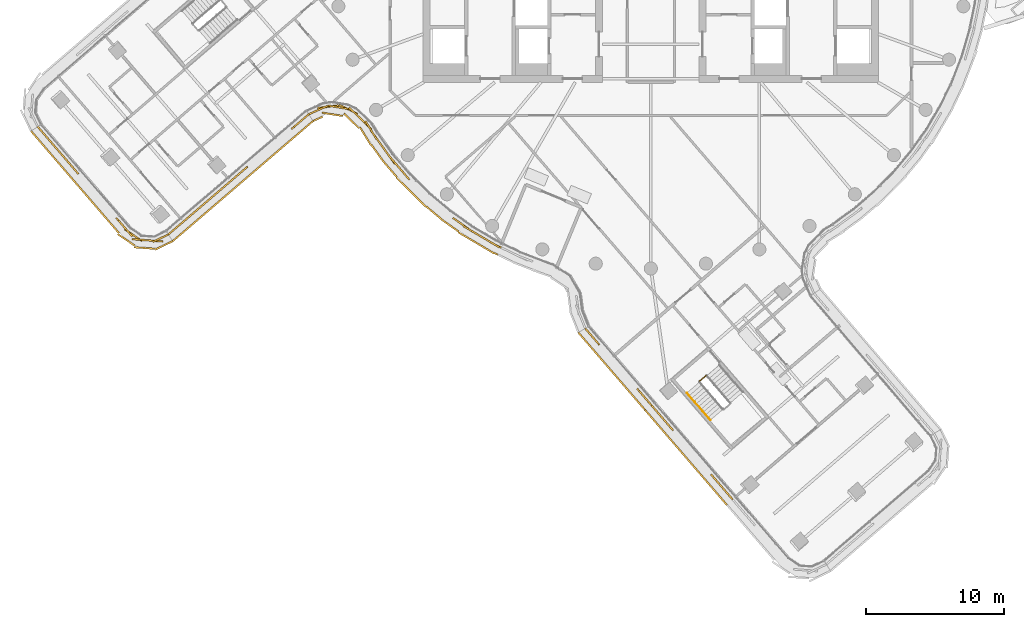
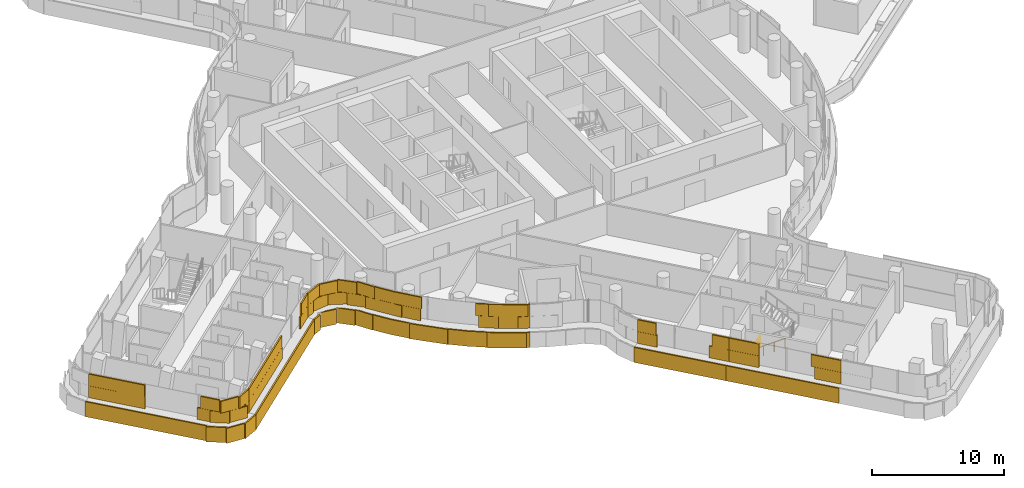
# One storey, part 28 of 34: 5 coverings, 2 railings.
"""IFC4 building model written with IfcOpenShell, lengths in metres."""

from ifc_helpers import new_model, si_unit, direction, frame, origin, origin_2d, place, context, subcontext, project, spatial, rectangle, circle, extrude, material, layer, layer_set, type_object, element, save


model = new_model("IFC4")

# Units and contexts
model_context = context("Model", 3, precision=1e-05, world=origin(), true_north=direction((0.0, 1.0)))
body_context = subcontext(model_context, "Body", "Model", "MODEL_VIEW")
ifc_project = project(units=[si_unit("LENGTHUNIT", "METRE"), si_unit("AREAUNIT", "SQUARE_METRE"), si_unit("VOLUMEUNIT", "CUBIC_METRE"), si_unit("PLANEANGLEUNIT", "RADIAN"), si_unit("MASSUNIT", "GRAM", prefix="KILO")], contexts=[model_context])

# Site, building, storey
site_placement = place(None, origin())
site = spatial("IfcSite", under=ifc_project, at=site_placement, CompositionType="ELEMENT")
building_placement = place(site_placement, origin())
building = spatial("IfcBuilding", under=site, at=building_placement, Name="Tamarind Cross Interchange Tower", CompositionType="ELEMENT")
storey_placement = place(building_placement, frame((0.0, 0.0, 182.5)))
storey = spatial("IfcBuildingStorey", under=building, at=storey_placement, Name="L45", CompositionType="ELEMENT", Elevation=182.5)

# Railings
ifc_material_1 = material(Name="Stair guard")
railing_type_1 = type_object("IfcRailingType", Name="Stair guard", PredefinedType="GUARDRAIL", material=ifc_material_1)
railing_1_placement = place(storey_placement, frame((3.53759765625, -31.161865234375, 0.0)))
element("IfcRailing", 1, at=railing_1_placement, inside=storey, type_object=railing_type_1, Name="L45 ST6 stair guard 4", PredefinedType="GUARDRAIL", context=body_context, shape_type="SweptSolid", body=[
    extrude(circle(Radius=0.02392578125, at=origin_2d()), frame((0.0, 0.0, 1.076171875), z_axis=(0.757444645977, 0.652899386032, 0.0), x_axis=(-0.652899386032, 0.757444645977, 0.0)), (0.0, 0.0, 1.0), 0.60009765625),
    extrude(circle(Radius=0.02099609375, at=origin_2d()), origin(), (0.0, 0.0, 1.0), 1.052001953125),
    extrude(circle(Radius=0.02099609375, at=origin_2d()), frame((0.45458984375, 0.391845703125, 0.0)), (0.0, 0.0, 1.0), 1.052001953125),
])
ifc_material_2 = material(Name="Stair handrail")
railing_type_2 = type_object("IfcRailingType", Name="Stair handrail", PredefinedType="HANDRAIL", material=ifc_material_2)
railing_2_placement = place(storey_placement, frame((2.623291015625, -32.015625, 0.16357421875)))
element("IfcRailing", 2, at=railing_2_placement, inside=storey, type_object=railing_type_2, Name="L45 ST6 stair handrail 1", PredefinedType="HANDRAIL", context=body_context, shape_type="SweptSolid", body=[
    extrude(circle(Radius=0.02392578125, at=origin_2d()), frame((0.0, 0.0, 0.8759765625), z_axis=(0.552399171702, -0.641167676203, 0.53269049747), x_axis=(0.757603689801, 0.652714829922, 0.0)), (0.0, 0.0, 1.0), 3.072021484375),
    extrude(circle(Radius=0.02099609375, at=origin_2d()), origin(), (0.0, 0.0, 1.0), 0.851806640625),
    extrude(circle(Radius=0.02099609375, at=origin_2d()), frame((0.565673828125, -0.656494140625, 0.54541015625)), (0.0, 0.0, 1.0), 0.851806640625),
    extrude(circle(Radius=0.02099609375, at=origin_2d()), frame((1.13134765625, -1.313232421875, 1.091064453125)), (0.0, 0.0, 1.0), 0.851806640625),
    extrude(circle(Radius=0.02099609375, at=origin_2d()), frame((1.697021484375, -1.9697265625, 1.636474609375)), (0.0, 0.0, 1.0), 0.851806640625),
])

# Coverings
ifc_material_3 = material(Name="Terracotta", Category="masonry")
ifc_layer = layer(ifc_material_3, 0.1201171875)
ifc_layer_set = layer_set([ifc_layer], Name="Terracotta")
covering_type = type_object("IfcCoveringType", Name="Terracotta baguette screen unit", PredefinedType="MOLDING", material=ifc_layer_set)
covering_1_placement = place(storey_placement, origin())
element("IfcCovering", 3, at=covering_1_placement, inside=storey, type_object=covering_type, Name="SCR-L45-04-00", PredefinedType="MOLDING", context=body_context, shape_type="SweptSolid", body=[
    extrude(rectangle(XDim=0.760009765625, YDim=0.1201171875, at=origin_2d()), frame((-44.197998046875, -13.004638671875, 1.40380859375), z_axis=(0.0, 0.0, 1.0), x_axis=(0.652722730074, -0.757596883339, 0.0)), (0.0, 0.0, 1.0), 1.092041015625),
    extrude(rectangle(XDim=1.52001953125, YDim=0.1201171875, at=origin_2d()), frame((-43.463623046875, -13.85693359375, 1.40380859375), z_axis=(0.0, 0.0, 1.0), x_axis=(0.652722730074, -0.757596883339, 0.0)), (0.0, 0.0, 1.0), 1.092041015625),
    extrude(rectangle(XDim=1.52001953125, YDim=0.1201171875, at=origin_2d()), frame((-42.484619140625, -14.993408203125, 1.40380859375), z_axis=(0.0, 0.0, 1.0), x_axis=(0.652722730074, -0.757596883339, 0.0)), (0.0, 0.0, 1.0), 1.092041015625),
    extrude(rectangle(XDim=0.78466796875, YDim=0.1201171875, at=origin_2d()), frame((-41.7421875, -15.85498046875, 1.40380859375), z_axis=(0.0, 0.0, 1.0), x_axis=(0.652722730074, -0.757596883339, 0.0)), (0.0, 0.0, 1.0), 1.092041015625),
    extrude(rectangle(XDim=1.03515625, YDim=0.1201171875, at=origin_2d()), frame((-38.413330078125, -19.71875, 1.40380859375), z_axis=(0.0, 0.0, 1.0), x_axis=(0.652722730074, -0.757596883339, 0.0)), (0.0, 0.0, 1.0), 1.092041015625),
    extrude(rectangle(XDim=1.52001953125, YDim=0.1201171875, at=origin_2d()), frame((-37.50634765625, -20.58251953125, 1.40380859375), z_axis=(0.0, 0.0, 1.0), x_axis=(0.826562244303, -0.562845321819, 0.0)), (0.0, 0.0, 1.0), 1.092041015625),
    extrude(rectangle(XDim=1.52001953125, YDim=0.1201171875, at=origin_2d()), frame((-36.112060546875, -20.984619140625, 1.40380859375), z_axis=(0.0, 0.0, 1.0), x_axis=(0.997246562285, -0.074157224945, 0.0)), (0.0, 0.0, 1.0), 1.092041015625),
    extrude(rectangle(XDim=0.509521484375, YDim=0.1201171875, at=origin_2d()), frame((-35.1943359375, -20.640869140625, 1.40380859375), z_axis=(0.0, 0.0, 1.0), x_axis=(0.900719469248, 0.434401240466, 0.0)), (0.0, 0.0, 1.0), 1.092041015625),
    extrude(rectangle(XDim=1.510009765625, YDim=0.1201171875, at=origin_2d()), frame((-43.953125, -13.288818359375, 2.50390625), z_axis=(0.0, 0.0, 1.0), x_axis=(0.652722730074, -0.757596883339, 0.0)), (0.0, 0.0, 1.0), 1.092041015625),
    extrude(rectangle(XDim=1.52001953125, YDim=0.1201171875, at=origin_2d()), frame((-42.97412109375, -14.425048828125, 2.50390625), z_axis=(0.0, 0.0, 1.0), x_axis=(0.652722730074, -0.757596883339, 0.0)), (0.0, 0.0, 1.0), 1.092041015625),
    extrude(rectangle(XDim=1.52001953125, YDim=0.1201171875, at=origin_2d()), frame((-41.9951171875, -15.5615234375, 2.50390625), z_axis=(0.0, 0.0, 1.0), x_axis=(0.652722730074, -0.757596883339, 0.0)), (0.0, 0.0, 1.0), 1.092041015625),
    extrude(rectangle(XDim=1.52001953125, YDim=0.1201171875, at=origin_2d()), frame((-38.07861328125, -20.107177734375, 2.50390625), z_axis=(0.0, 0.0, 1.0), x_axis=(0.652722730074, -0.757596883339, 0.0)), (0.0, 0.0, 1.0), 1.092041015625),
    extrude(rectangle(XDim=1.52001953125, YDim=0.1201171875, at=origin_2d()), frame((-36.85986328125, -20.928955078125, 2.50390625), z_axis=(0.0, 0.0, 1.0), x_axis=(0.997246562285, -0.074157224945, 0.0)), (0.0, 0.0, 1.0), 1.092041015625),
    extrude(rectangle(XDim=1.259521484375, YDim=0.1201171875, at=origin_2d()), frame((-35.531982421875, -20.803955078125, 2.50390625), z_axis=(0.0, 0.0, 1.0), x_axis=(0.900719469248, 0.434401240466, 0.0)), (0.0, 0.0, 1.0), 1.092041015625),
    extrude(rectangle(XDim=0.760009765625, YDim=0.1201171875, at=origin_2d()), frame((-44.678955078125, -13.325927734375, 0.00390625), z_axis=(0.0, 0.0, 1.0), x_axis=(0.652722730074, -0.757596883339, 0.0)), (0.0, 0.0, 1.0), 1.39208984375),
    extrude(rectangle(XDim=1.52001953125, YDim=0.1201171875, at=origin_2d()), frame((-43.94775390625, -14.17431640625, 0.00390625), z_axis=(0.0, 0.0, 1.0), x_axis=(0.652722730074, -0.757596883339, 0.0)), (0.0, 0.0, 1.0), 1.39208984375),
    extrude(rectangle(XDim=1.52001953125, YDim=0.1201171875, at=origin_2d()), frame((-42.96875, -15.310791015625, 0.00390625), z_axis=(0.0, 0.0, 1.0), x_axis=(0.652722730074, -0.757596883339, 0.0)), (0.0, 0.0, 1.0), 1.39208984375),
    extrude(rectangle(XDim=1.52001953125, YDim=0.1201171875, at=origin_2d()), frame((-41.98974609375, -16.447021484375, 0.00390625), z_axis=(0.0, 0.0, 1.0), x_axis=(0.652722730074, -0.757596883339, 0.0)), (0.0, 0.0, 1.0), 1.39208984375),
    extrude(rectangle(XDim=1.52001953125, YDim=0.1201171875, at=origin_2d()), frame((-41.010498046875, -17.58349609375, 0.00390625), z_axis=(0.0, 0.0, 1.0), x_axis=(0.652722730074, -0.757596883339, 0.0)), (0.0, 0.0, 1.0), 1.39208984375),
    extrude(rectangle(XDim=1.52001953125, YDim=0.1201171875, at=origin_2d()), frame((-40.031494140625, -18.719970703125, 0.00390625), z_axis=(0.0, 0.0, 1.0), x_axis=(0.652722730074, -0.757596883339, 0.0)), (0.0, 0.0, 1.0), 1.39208984375),
    extrude(rectangle(XDim=1.52001953125, YDim=0.1201171875, at=origin_2d()), frame((-39.052490234375, -19.856201171875, 0.00390625), z_axis=(0.0, 0.0, 1.0), x_axis=(0.652722730074, -0.757596883339, 0.0)), (0.0, 0.0, 1.0), 1.39208984375),
    extrude(rectangle(XDim=1.52001953125, YDim=0.1201171875, at=origin_2d()), frame((-38.016845703125, -20.929443359375, 0.00390625), z_axis=(0.0, 0.0, 1.0), x_axis=(0.826562244303, -0.562845321819, 0.0)), (0.0, 0.0, 1.0), 1.39208984375),
    extrude(rectangle(XDim=1.52001953125, YDim=0.1201171875, at=origin_2d()), frame((-36.6875, -21.517333984375, 0.00390625), z_axis=(0.0, 0.0, 1.0), x_axis=(0.997246562285, -0.074157224945, 0.0)), (0.0, 0.0, 1.0), 1.39208984375),
    extrude(rectangle(XDim=1.426025390625, YDim=0.1201171875, at=origin_2d()), frame((-35.294921875, -21.326904296875, 0.00390625), z_axis=(0.0, 0.0, 1.0), x_axis=(0.900719469248, 0.434401240466, 0.0)), (0.0, 0.0, 1.0), 1.39208984375),
])
covering_2_placement = place(storey_placement, origin())
element("IfcCovering", 4, at=covering_2_placement, inside=storey, type_object=covering_type, Name="SCR-L45-05-00", PredefinedType="MOLDING", context=body_context, shape_type="SweptSolid", body=[
    extrude(rectangle(XDim=0.760009765625, YDim=0.1201171875, at=origin_2d()), frame((-34.6845703125, -20.28857421875, 1.40380859375), z_axis=(0.0, 0.0, 1.0), x_axis=(0.759627676091, 0.650358204159, 0.0)), (0.0, 0.0, 1.0), 1.092041015625),
    extrude(rectangle(XDim=1.52001953125, YDim=0.1201171875, at=origin_2d()), frame((-33.829833984375, -19.556884765625, 1.40380859375), z_axis=(0.0, 0.0, 1.0), x_axis=(0.759627676091, 0.650358204159, 0.0)), (0.0, 0.0, 1.0), 1.092041015625),
    extrude(rectangle(XDim=1.52001953125, YDim=0.1201171875, at=origin_2d()), frame((-32.6904296875, -18.581298828125, 1.40380859375), z_axis=(0.0, 0.0, 1.0), x_axis=(0.759627676091, 0.650358204159, 0.0)), (0.0, 0.0, 1.0), 1.092041015625),
    extrude(rectangle(XDim=1.52001953125, YDim=0.1201171875, at=origin_2d()), frame((-31.551025390625, -17.60595703125, 1.40380859375), z_axis=(0.0, 0.0, 1.0), x_axis=(0.759627676091, 0.650358204159, 0.0)), (0.0, 0.0, 1.0), 1.092041015625),
    extrude(rectangle(XDim=1.52001953125, YDim=0.1201171875, at=origin_2d()), frame((-30.41162109375, -16.63037109375, 1.40380859375), z_axis=(0.0, 0.0, 1.0), x_axis=(0.759627676091, 0.650358204159, 0.0)), (0.0, 0.0, 1.0), 1.092041015625),
    extrude(rectangle(XDim=0.814453125, YDim=0.1201171875, at=origin_2d()), frame((-29.5361328125, -15.880859375, 1.40380859375), z_axis=(0.0, 0.0, 1.0), x_axis=(0.759627676091, 0.650358204159, 0.0)), (0.0, 0.0, 1.0), 1.092041015625),
    extrude(rectangle(XDim=1.00537109375, YDim=0.1201171875, at=origin_2d()), frame((-25.662109375, -12.56396484375, 1.40380859375), z_axis=(0.0, 0.0, 1.0), x_axis=(0.759627676091, 0.650358204159, 0.0)), (0.0, 0.0, 1.0), 1.092041015625),
    extrude(rectangle(XDim=0.654296875, YDim=0.1201171875, at=origin_2d()), frame((-25.039306640625, -12.031005859375, 1.40380859375), z_axis=(0.0, 0.0, 1.0), x_axis=(0.759627676091, 0.650358204159, 0.0)), (0.0, 0.0, 1.0), 1.092041015625),
    extrude(rectangle(XDim=1.510009765625, YDim=0.1201171875, at=origin_2d()), frame((-34.399658203125, -20.044677734375, 2.50390625), z_axis=(0.0, 0.0, 1.0), x_axis=(0.759627676091, 0.650358204159, 0.0)), (0.0, 0.0, 1.0), 1.092041015625),
    extrude(rectangle(XDim=1.52001953125, YDim=0.1201171875, at=origin_2d()), frame((-33.26025390625, -19.069091796875, 2.50390625), z_axis=(0.0, 0.0, 1.0), x_axis=(0.759627676091, 0.650358204159, 0.0)), (0.0, 0.0, 1.0), 1.092041015625),
    extrude(rectangle(XDim=1.52001953125, YDim=0.1201171875, at=origin_2d()), frame((-32.12060546875, -18.093505859375, 2.50390625), z_axis=(0.0, 0.0, 1.0), x_axis=(0.759627676091, 0.650358204159, 0.0)), (0.0, 0.0, 1.0), 1.092041015625),
    extrude(rectangle(XDim=1.52001953125, YDim=0.1201171875, at=origin_2d()), frame((-30.981201171875, -17.1181640625, 2.50390625), z_axis=(0.0, 0.0, 1.0), x_axis=(0.759627676091, 0.650358204159, 0.0)), (0.0, 0.0, 1.0), 1.092041015625),
    extrude(rectangle(XDim=1.52001953125, YDim=0.1201171875, at=origin_2d()), frame((-29.841796875, -16.142578125, 2.50390625), z_axis=(0.0, 0.0, 1.0), x_axis=(0.759627676091, 0.650358204159, 0.0)), (0.0, 0.0, 1.0), 1.092041015625),
    extrude(rectangle(XDim=1.404296875, YDim=0.1201171875, at=origin_2d()), frame((-25.32421875, -12.27490234375, 2.50390625), z_axis=(0.0, 0.0, 1.0), x_axis=(0.759627676091, 0.650358204159, 0.0)), (0.0, 0.0, 1.0), 1.092041015625),
    extrude(rectangle(XDim=0.760009765625, YDim=0.1201171875, at=origin_2d()), frame((-34.364013671875, -20.77001953125, 0.00390625), z_axis=(0.0, 0.0, 1.0), x_axis=(0.759627676091, 0.650358204159, 0.0)), (0.0, 0.0, 1.0), 1.39208984375),
    extrude(rectangle(XDim=1.52001953125, YDim=0.1201171875, at=origin_2d()), frame((-33.51318359375, -20.04150390625, 0.00390625), z_axis=(0.0, 0.0, 1.0), x_axis=(0.759627676091, 0.650358204159, 0.0)), (0.0, 0.0, 1.0), 1.39208984375),
    extrude(rectangle(XDim=1.52001953125, YDim=0.1201171875, at=origin_2d()), frame((-32.373779296875, -19.06591796875, 0.00390625), z_axis=(0.0, 0.0, 1.0), x_axis=(0.759627676091, 0.650358204159, 0.0)), (0.0, 0.0, 1.0), 1.39208984375),
    extrude(rectangle(XDim=1.52001953125, YDim=0.1201171875, at=origin_2d()), frame((-31.234375, -18.09033203125, 0.00390625), z_axis=(0.0, 0.0, 1.0), x_axis=(0.759627676091, 0.650358204159, 0.0)), (0.0, 0.0, 1.0), 1.39208984375),
    extrude(rectangle(XDim=1.52001953125, YDim=0.1201171875, at=origin_2d()), frame((-30.094970703125, -17.114990234375, 0.00390625), z_axis=(0.0, 0.0, 1.0), x_axis=(0.759627676091, 0.650358204159, 0.0)), (0.0, 0.0, 1.0), 1.39208984375),
    extrude(rectangle(XDim=1.52001953125, YDim=0.1201171875, at=origin_2d()), frame((-28.95556640625, -16.139404296875, 0.00390625), z_axis=(0.0, 0.0, 1.0), x_axis=(0.759627676091, 0.650358204159, 0.0)), (0.0, 0.0, 1.0), 1.39208984375),
    extrude(rectangle(XDim=1.52001953125, YDim=0.1201171875, at=origin_2d()), frame((-27.816162109375, -15.163818359375, 0.00390625), z_axis=(0.0, 0.0, 1.0), x_axis=(0.759627676091, 0.650358204159, 0.0)), (0.0, 0.0, 1.0), 1.39208984375),
    extrude(rectangle(XDim=1.52001953125, YDim=0.1201171875, at=origin_2d()), frame((-26.676513671875, -14.188232421875, 0.00390625), z_axis=(0.0, 0.0, 1.0), x_axis=(0.759627676091, 0.650358204159, 0.0)), (0.0, 0.0, 1.0), 1.39208984375),
    extrude(rectangle(XDim=1.52001953125, YDim=0.1201171875, at=origin_2d()), frame((-25.537109375, -13.212646484375, 0.00390625), z_axis=(0.0, 0.0, 1.0), x_axis=(0.759627676091, 0.650358204159, 0.0)), (0.0, 0.0, 1.0), 1.39208984375),
    extrude(rectangle(XDim=0.645751953125, YDim=0.1201171875, at=origin_2d()), frame((-24.729736328125, -12.521484375, 0.00390625), z_axis=(0.0, 0.0, 1.0), x_axis=(0.759627676091, 0.650358204159, 0.0)), (0.0, 0.0, 1.0), 1.39208984375),
])
covering_3_placement = place(storey_placement, origin())
element("IfcCovering", 5, at=covering_3_placement, inside=storey, type_object=covering_type, Name="SCR-L45-06-00", PredefinedType="MOLDING", context=body_context, shape_type="SweptSolid", body=[
    extrude(rectangle(XDim=0.760009765625, YDim=0.1201171875, at=origin_2d()), frame((-24.452392578125, -11.66845703125, 1.40380859375), z_axis=(0.0, 0.0, 1.0), x_axis=(0.912922677037, 0.408132559044, 0.0)), (0.0, 0.0, 1.0), 1.092041015625),
    extrude(rectangle(XDim=1.52001953125, YDim=0.1201171875, at=origin_2d()), frame((-23.406005859375, -11.27734375, 1.40380859375), z_axis=(0.0, 0.0, 1.0), x_axis=(0.991608197572, 0.129279474427, 0.0)), (0.0, 0.0, 1.0), 1.092041015625),
    extrude(rectangle(XDim=1.52001953125, YDim=0.1201171875, at=origin_2d()), frame((-21.93310546875, -11.462158203125, 1.40380859375), z_axis=(0.0, 0.0, 1.0), x_axis=(0.899624214492, -0.436664943291, 0.0)), (0.0, 0.0, 1.0), 1.092041015625),
    extrude(rectangle(XDim=1.52001953125, YDim=0.1201171875, at=origin_2d()), frame((-20.777099609375, -12.393798828125, 1.40380859375), z_axis=(0.0, 0.0, 1.0), x_axis=(0.71840104127, -0.695629171256, 0.0)), (0.0, 0.0, 1.0), 1.092041015625),
    extrude(rectangle(XDim=1.52001953125, YDim=0.1201171875, at=origin_2d()), frame((-19.875732421875, -13.581787109375, 1.40380859375), z_axis=(0.0, 0.0, 1.0), x_axis=(0.584573890505, -0.811340475102, 0.0)), (0.0, 0.0, 1.0), 1.092041015625),
    extrude(rectangle(XDim=1.52001953125, YDim=0.1201171875, at=origin_2d()), frame((-18.998779296875, -14.798828125, 1.40380859375), z_axis=(0.0, 0.0, 1.0), x_axis=(0.584573890505, -0.811340475102, 0.0)), (0.0, 0.0, 1.0), 1.092041015625),
    extrude(rectangle(XDim=1.52001953125, YDim=0.1201171875, at=origin_2d()), frame((-18.030517578125, -15.944091796875, 1.40380859375), z_axis=(0.0, 0.0, 1.0), x_axis=(0.64957723968, -0.760295606781, 0.0)), (0.0, 0.0, 1.0), 1.092041015625),
    extrude(rectangle(XDim=1.52001953125, YDim=0.1201171875, at=origin_2d()), frame((-13.5419921875, -19.8984375, 1.40380859375), z_axis=(0.0, 0.0, 1.0), x_axis=(0.816341886298, -0.577568978284, 0.0)), (0.0, 0.0, 1.0), 1.092041015625),
    extrude(rectangle(XDim=1.52001953125, YDim=0.1201171875, at=origin_2d()), frame((-12.275146484375, -20.699462890625, 1.40380859375), z_axis=(0.0, 0.0, 1.0), x_axis=(0.861248933065, -0.508183308752, 0.0)), (0.0, 0.0, 1.0), 1.092041015625),
    extrude(rectangle(XDim=0.8916015625, YDim=0.1201171875, at=origin_2d()), frame((-11.244140625, -21.294189453125, 1.40380859375), z_axis=(0.0, 0.0, 1.0), x_axis=(0.900272776334, -0.435326231914, 0.0)), (0.0, 0.0, 1.0), 1.092041015625),
    extrude(rectangle(XDim=1.510009765625, YDim=0.1201171875, at=origin_2d()), frame((-24.110107421875, -11.515380859375, 2.50390625), z_axis=(0.0, 0.0, 1.0), x_axis=(0.912922677037, 0.408132559044, 0.0)), (0.0, 0.0, 1.0), 1.092041015625),
    extrude(rectangle(XDim=1.52001953125, YDim=0.1201171875, at=origin_2d()), frame((-22.66455078125, -11.313720703125, 2.50390625), z_axis=(0.0, 0.0, 1.0), x_axis=(0.987047759785, -0.16042668077, 0.0)), (0.0, 0.0, 1.0), 1.092041015625),
    extrude(rectangle(XDim=1.52001953125, YDim=0.1201171875, at=origin_2d()), frame((-21.31591796875, -11.8720703125, 2.50390625), z_axis=(0.0, 0.0, 1.0), x_axis=(0.71840104127, -0.695629171256, 0.0)), (0.0, 0.0, 1.0), 1.092041015625),
    extrude(rectangle(XDim=1.52001953125, YDim=0.1201171875, at=origin_2d()), frame((-20.29248046875, -12.958740234375, 2.50390625), z_axis=(0.0, 0.0, 1.0), x_axis=(0.523311745889, -0.852141312585, 0.0)), (0.0, 0.0, 1.0), 1.092041015625),
    extrude(rectangle(XDim=1.52001953125, YDim=0.1201171875, at=origin_2d()), frame((-19.437255859375, -14.190185546875, 2.50390625), z_axis=(0.0, 0.0, 1.0), x_axis=(0.584573890505, -0.811340475102, 0.0)), (0.0, 0.0, 1.0), 1.092041015625),
    extrude(rectangle(XDim=1.52001953125, YDim=0.1201171875, at=origin_2d()), frame((-18.517822265625, -15.373779296875, 2.50390625), z_axis=(0.0, 0.0, 1.0), x_axis=(0.64957723968, -0.760295606781, 0.0)), (0.0, 0.0, 1.0), 1.092041015625),
    extrude(rectangle(XDim=0.8291015625, YDim=0.1201171875, at=origin_2d()), frame((-17.7646484375, -16.25537109375, 2.50390625), z_axis=(0.0, 0.0, 1.0), x_axis=(0.64957723968, -0.760295606781, 0.0)), (0.0, 0.0, 1.0), 1.092041015625),
    extrude(rectangle(XDim=0.990966796875, YDim=0.1201171875, at=origin_2d()), frame((-13.9423828125, -19.615234375, 2.50390625), z_axis=(0.0, 0.0, 1.0), x_axis=(0.816341886298, -0.577568978284, 0.0)), (0.0, 0.0, 1.0), 1.092041015625),
    extrude(rectangle(XDim=1.52001953125, YDim=0.1201171875, at=origin_2d()), frame((-12.921142578125, -20.318359375, 2.50390625), z_axis=(0.0, 0.0, 1.0), x_axis=(0.861248933065, -0.508183308752, 0.0)), (0.0, 0.0, 1.0), 1.092041015625),
    extrude(rectangle(XDim=1.52001953125, YDim=0.1201171875, at=origin_2d()), frame((-11.62939453125, -21.08056640625, 2.50390625), z_axis=(0.0, 0.0, 1.0), x_axis=(0.861248933065, -0.508183308752, 0.0)), (0.0, 0.0, 1.0), 1.092041015625),
    extrude(rectangle(XDim=0.1416015625, YDim=0.1201171875, at=origin_2d()), frame((-10.906494140625, -21.45751953125, 2.50390625), z_axis=(0.0, 0.0, 1.0), x_axis=(0.900272776334, -0.435326231914, 0.0)), (0.0, 0.0, 1.0), 1.092041015625),
    extrude(rectangle(XDim=0.760009765625, YDim=0.1201171875, at=origin_2d()), frame((-24.1376953125, -12.156494140625, 0.00390625), z_axis=(0.0, 0.0, 1.0), x_axis=(0.912922677037, 0.408132559044, 0.0)), (0.0, 0.0, 1.0), 1.39208984375),
    extrude(rectangle(XDim=1.52001953125, YDim=0.1201171875, at=origin_2d()), frame((-23.0830078125, -11.8271484375, 0.00390625), z_axis=(0.0, 0.0, 1.0), x_axis=(0.987047759785, -0.16042668077, 0.0)), (0.0, 0.0, 1.0), 1.39208984375),
    extrude(rectangle(XDim=1.52001953125, YDim=0.1201171875, at=origin_2d()), frame((-21.7001953125, -12.299072265625, 0.00390625), z_axis=(0.0, 0.0, 1.0), x_axis=(0.71840104127, -0.695629171256, 0.0)), (0.0, 0.0, 1.0), 1.39208984375),
    extrude(rectangle(XDim=1.52001953125, YDim=0.1201171875, at=origin_2d()), frame((-20.69482421875, -13.400390625, 0.00390625), z_axis=(0.0, 0.0, 1.0), x_axis=(0.523311745889, -0.852141312585, 0.0)), (0.0, 0.0, 1.0), 1.39208984375),
    extrude(rectangle(XDim=1.52001953125, YDim=0.1201171875, at=origin_2d()), frame((-19.830810546875, -14.6259765625, 0.00390625), z_axis=(0.0, 0.0, 1.0), x_axis=(0.584573890505, -0.811340475102, 0.0)), (0.0, 0.0, 1.0), 1.39208984375),
    extrude(rectangle(XDim=1.52001953125, YDim=0.1201171875, at=origin_2d()), frame((-18.90478515625, -15.804443359375, 0.00390625), z_axis=(0.0, 0.0, 1.0), x_axis=(0.64957723968, -0.760295606781, 0.0)), (0.0, 0.0, 1.0), 1.39208984375),
    extrude(rectangle(XDim=1.52001953125, YDim=0.1201171875, at=origin_2d()), frame((-17.917236328125, -16.9326171875, 0.00390625), z_axis=(0.0, 0.0, 1.0), x_axis=(0.710143317658, -0.704057148523, 0.0)), (0.0, 0.0, 1.0), 1.39208984375),
    extrude(rectangle(XDim=1.52001953125, YDim=0.1201171875, at=origin_2d()), frame((-16.85205078125, -17.98876953125, 0.00390625), z_axis=(0.0, 0.0, 1.0), x_axis=(0.710143317658, -0.704057148523, 0.0)), (0.0, 0.0, 1.0), 1.39208984375),
    extrude(rectangle(XDim=1.52001953125, YDim=0.1201171875, at=origin_2d()), frame((-15.72119140625, -18.972900390625, 0.00390625), z_axis=(0.0, 0.0, 1.0), x_axis=(0.765858396687, -0.643009266048, 0.0)), (0.0, 0.0, 1.0), 1.39208984375),
    extrude(rectangle(XDim=1.52001953125, YDim=0.1201171875, at=origin_2d()), frame((-14.5400390625, -19.8955078125, 0.00390625), z_axis=(0.0, 0.0, 1.0), x_axis=(0.816341886298, -0.577568978284, 0.0)), (0.0, 0.0, 1.0), 1.39208984375),
    extrude(rectangle(XDim=1.52001953125, YDim=0.1201171875, at=origin_2d()), frame((-13.31103515625, -20.7548828125, 0.00390625), z_axis=(0.0, 0.0, 1.0), x_axis=(0.861248933065, -0.508183308752, 0.0)), (0.0, 0.0, 1.0), 1.39208984375),
    extrude(rectangle(XDim=1.52001953125, YDim=0.1201171875, at=origin_2d()), frame((-12.01904296875, -21.51708984375, 0.00390625), z_axis=(0.0, 0.0, 1.0), x_axis=(0.861248933065, -0.508183308752, 0.0)), (0.0, 0.0, 1.0), 1.39208984375),
    extrude(rectangle(XDim=0.293212890625, YDim=0.1201171875, at=origin_2d()), frame((-11.238037109375, -21.934814453125, 0.00390625), z_axis=(0.0, 0.0, 1.0), x_axis=(0.900272776334, -0.435326231914, 0.0)), (0.0, 0.0, 1.0), 1.39208984375),
])
covering_4_placement = place(storey_placement, origin())
element("IfcCovering", 6, at=covering_4_placement, inside=storey, type_object=covering_type, Name="SCR-L45-07-00", PredefinedType="MOLDING", context=body_context, shape_type="SweptSolid", body=[
    extrude(rectangle(XDim=0.760009765625, YDim=0.1201171875, at=origin_2d()), frame((-4.5126953125, -27.62451171875, 1.40380859375), z_axis=(0.0, 0.0, 1.0), x_axis=(0.652722730074, -0.757596883339, 0.0)), (0.0, 0.0, 1.0), 1.092041015625),
    extrude(rectangle(XDim=0.83642578125, YDim=0.1201171875, at=origin_2d()), frame((-3.998046875, -28.2216796875, 1.40380859375), z_axis=(0.0, 0.0, 1.0), x_axis=(0.652722730074, -0.757596883339, 0.0)), (0.0, 0.0, 1.0), 1.092041015625),
    extrude(rectangle(XDim=0.9833984375, YDim=0.1201171875, at=origin_2d()), frame((-0.669189453125, -32.08544921875, 1.40380859375), z_axis=(0.0, 0.0, 1.0), x_axis=(0.652722730074, -0.757596883339, 0.0)), (0.0, 0.0, 1.0), 1.092041015625),
    extrude(rectangle(XDim=0.613037109375, YDim=0.1201171875, at=origin_2d()), frame((-0.15478515625, -32.6826171875, 1.40380859375), z_axis=(0.0, 0.0, 1.0), x_axis=(0.652722730074, -0.757596883339, 0.0)), (0.0, 0.0, 1.0), 1.092041015625),
    extrude(rectangle(XDim=1.510009765625, YDim=0.1201171875, at=origin_2d()), frame((-4.267822265625, -27.908447265625, 2.50390625), z_axis=(0.0, 0.0, 1.0), x_axis=(0.652722730074, -0.757596883339, 0.0)), (0.0, 0.0, 1.0), 1.092041015625),
    extrude(rectangle(XDim=1.363037109375, YDim=0.1201171875, at=origin_2d()), frame((-0.3994140625, -32.3984375, 2.50390625), z_axis=(0.0, 0.0, 1.0), x_axis=(0.652722730074, -0.757596883339, 0.0)), (0.0, 0.0, 1.0), 1.092041015625),
    extrude(rectangle(XDim=0.760009765625, YDim=0.1201171875, at=origin_2d()), frame((-5.0078125, -27.92919921875, 0.00390625), z_axis=(0.0, 0.0, 1.0), x_axis=(0.652722730074, -0.757596883339, 0.0)), (0.0, 0.0, 1.0), 1.39208984375),
    extrude(rectangle(XDim=1.52001953125, YDim=0.1201171875, at=origin_2d()), frame((-4.27685546875, -28.777587890625, 0.00390625), z_axis=(0.0, 0.0, 1.0), x_axis=(0.652722730074, -0.757596883339, 0.0)), (0.0, 0.0, 1.0), 1.39208984375),
    extrude(rectangle(XDim=1.52001953125, YDim=0.1201171875, at=origin_2d()), frame((-3.297607421875, -29.9140625, 0.00390625), z_axis=(0.0, 0.0, 1.0), x_axis=(0.652722730074, -0.757596883339, 0.0)), (0.0, 0.0, 1.0), 1.39208984375),
    extrude(rectangle(XDim=1.52001953125, YDim=0.1201171875, at=origin_2d()), frame((-2.318603515625, -31.05029296875, 0.00390625), z_axis=(0.0, 0.0, 1.0), x_axis=(0.652722730074, -0.757596883339, 0.0)), (0.0, 0.0, 1.0), 1.39208984375),
    extrude(rectangle(XDim=1.52001953125, YDim=0.1201171875, at=origin_2d()), frame((-1.339599609375, -32.186767578125, 0.00390625), z_axis=(0.0, 0.0, 1.0), x_axis=(0.652722730074, -0.757596883339, 0.0)), (0.0, 0.0, 1.0), 1.39208984375),
    extrude(rectangle(XDim=0.670166015625, YDim=0.1201171875, at=origin_2d()), frame((-0.637939453125, -33.001220703125, 0.00390625), z_axis=(0.0, 0.0, 1.0), x_axis=(0.652722730074, -0.757596883339, 0.0)), (0.0, 0.0, 1.0), 1.39208984375),
])
covering_5_placement = place(storey_placement, origin())
element("IfcCovering", 7, at=covering_5_placement, inside=storey, type_object=covering_type, Name="SCR-L45-07-01", PredefinedType="MOLDING", context=body_context, shape_type="SweptSolid", body=[
    extrude(rectangle(XDim=0.906982421875, YDim=0.1201171875, at=origin_2d()), frame((0.334716796875, -33.250732421875, 1.40380859375), z_axis=(0.0, 0.0, 1.0), x_axis=(0.652722730074, -0.757596883339, 0.0)), (0.0, 0.0, 1.0), 1.092041015625),
    extrude(rectangle(XDim=1.52001953125, YDim=0.1201171875, at=origin_2d()), frame((1.116943359375, -34.15869140625, 1.40380859375), z_axis=(0.0, 0.0, 1.0), x_axis=(0.652722730074, -0.757596883339, 0.0)), (0.0, 0.0, 1.0), 1.092041015625),
    extrude(rectangle(XDim=1.52001953125, YDim=0.1201171875, at=origin_2d()), frame((5.033447265625, -38.704345703125, 1.40380859375), z_axis=(0.0, 0.0, 1.0), x_axis=(0.652722730074, -0.757596883339, 0.0)), (0.0, 0.0, 1.0), 1.092041015625),
    extrude(rectangle(XDim=0.6240234375, YDim=0.1201171875, at=origin_2d()), frame((5.723388671875, -39.505126953125, 1.40380859375), z_axis=(0.0, 0.0, 1.0), x_axis=(0.652722730074, -0.757596883339, 0.0)), (0.0, 0.0, 1.0), 1.092041015625),
    extrude(rectangle(XDim=0.156982421875, YDim=0.1201171875, at=origin_2d()), frame((0.090087890625, -32.966796875, 2.50390625), z_axis=(0.0, 0.0, 1.0), x_axis=(0.652722730074, -0.757596883339, 0.0)), (0.0, 0.0, 1.0), 1.092041015625),
    extrude(rectangle(XDim=1.52001953125, YDim=0.1201171875, at=origin_2d()), frame((0.62744140625, -33.590576171875, 2.50390625), z_axis=(0.0, 0.0, 1.0), x_axis=(0.652722730074, -0.757596883339, 0.0)), (0.0, 0.0, 1.0), 1.092041015625),
    extrude(rectangle(XDim=0.7685546875, YDim=0.1201171875, at=origin_2d()), frame((1.36474609375, -34.446044921875, 2.50390625), z_axis=(0.0, 0.0, 1.0), x_axis=(0.652722730074, -0.757596883339, 0.0)), (0.0, 0.0, 1.0), 1.092041015625),
    extrude(rectangle(XDim=1.051513671875, YDim=0.1201171875, at=origin_2d()), frame((4.693603515625, -38.309814453125, 2.50390625), z_axis=(0.0, 0.0, 1.0), x_axis=(0.652722730074, -0.757596883339, 0.0)), (0.0, 0.0, 1.0), 1.092041015625),
    extrude(rectangle(XDim=1.3740234375, YDim=0.1201171875, at=origin_2d()), frame((5.478515625, -39.220947265625, 2.50390625), z_axis=(0.0, 0.0, 1.0), x_axis=(0.652722730074, -0.757596883339, 0.0)), (0.0, 0.0, 1.0), 1.092041015625),
    extrude(rectangle(XDim=0.849853515625, YDim=0.1201171875, at=origin_2d()), frame((-0.141845703125, -33.5771484375, 0.00390625), z_axis=(0.0, 0.0, 1.0), x_axis=(0.652722730074, -0.757596883339, 0.0)), (0.0, 0.0, 1.0), 1.39208984375),
    extrude(rectangle(XDim=1.52001953125, YDim=0.1201171875, at=origin_2d()), frame((0.61865234375, -34.459716796875, 0.00390625), z_axis=(0.0, 0.0, 1.0), x_axis=(0.652722730074, -0.757596883339, 0.0)), (0.0, 0.0, 1.0), 1.39208984375),
    extrude(rectangle(XDim=1.52001953125, YDim=0.1201171875, at=origin_2d()), frame((1.59765625, -35.595947265625, 0.00390625), z_axis=(0.0, 0.0, 1.0), x_axis=(0.652722730074, -0.757596883339, 0.0)), (0.0, 0.0, 1.0), 1.39208984375),
    extrude(rectangle(XDim=1.52001953125, YDim=0.1201171875, at=origin_2d()), frame((2.576904296875, -36.732421875, 0.00390625), z_axis=(0.0, 0.0, 1.0), x_axis=(0.652722730074, -0.757596883339, 0.0)), (0.0, 0.0, 1.0), 1.39208984375),
    extrude(rectangle(XDim=1.52001953125, YDim=0.1201171875, at=origin_2d()), frame((3.555908203125, -37.868896484375, 0.00390625), z_axis=(0.0, 0.0, 1.0), x_axis=(0.652722730074, -0.757596883339, 0.0)), (0.0, 0.0, 1.0), 1.39208984375),
    extrude(rectangle(XDim=1.52001953125, YDim=0.1201171875, at=origin_2d()), frame((4.534912109375, -39.005126953125, 0.00390625), z_axis=(0.0, 0.0, 1.0), x_axis=(0.652722730074, -0.757596883339, 0.0)), (0.0, 0.0, 1.0), 1.39208984375),
    extrude(rectangle(XDim=0.751220703125, YDim=0.1201171875, at=origin_2d()), frame((5.26318359375, -39.850341796875, 0.00390625), z_axis=(0.0, 0.0, 1.0), x_axis=(0.652722730074, -0.757596883339, 0.0)), (0.0, 0.0, 1.0), 1.39208984375),
])

save(model, "model.ifc")
